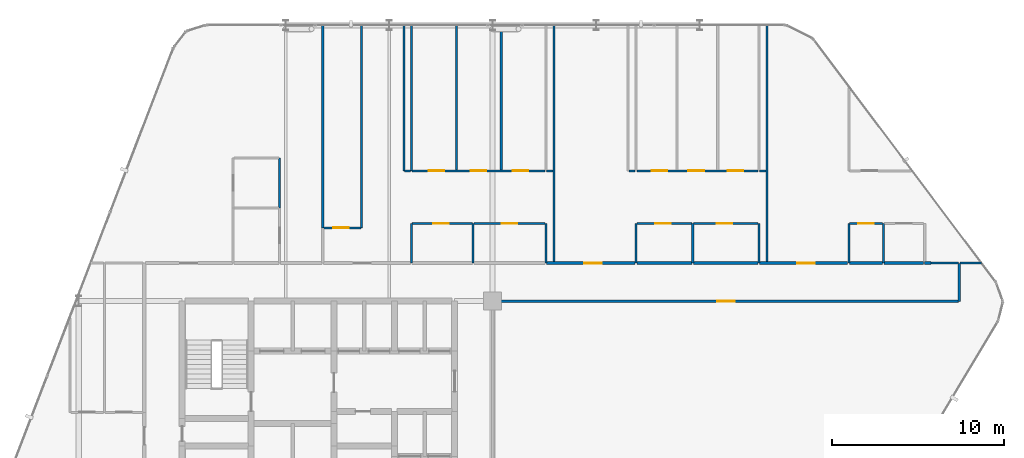
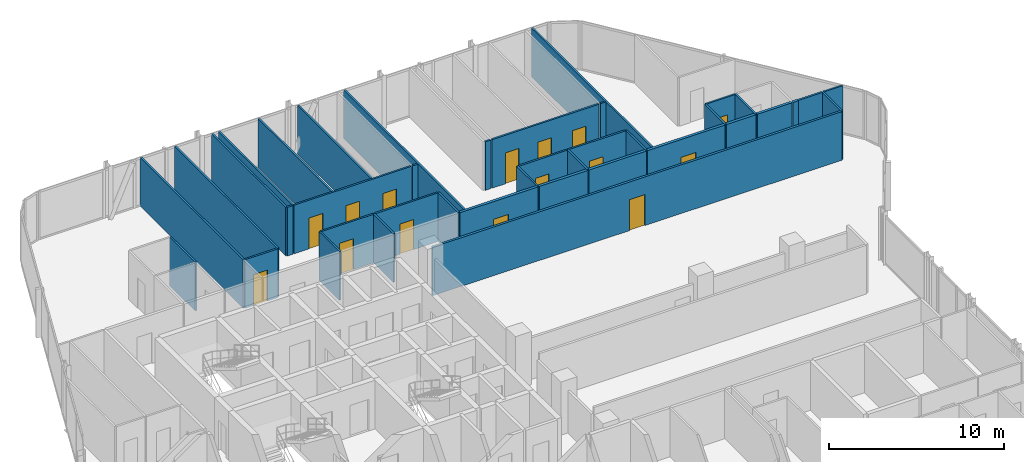
# One storey, part 28 of 30: 40 walls, 15 doors, 15 openings.
"""IFC4 building model written with IfcOpenShell, lengths in metres."""

from ifc_helpers import new_model, si_unit, direction, frame, frame_2d, origin, place, context, subcontext, project, spatial, rectangle, extrude, material, layer, layer_set, type_object, element, fill, save


model = new_model("IFC4")

# Units and contexts
model_context = context("Model", 3, precision=1e-05, world=origin(), true_north=direction((0.0, 1.0)))
body_context = subcontext(model_context, "Body", "Model", "MODEL_VIEW")
ifc_project = project(units=[si_unit("LENGTHUNIT", "METRE"), si_unit("AREAUNIT", "SQUARE_METRE"), si_unit("VOLUMEUNIT", "CUBIC_METRE"), si_unit("PLANEANGLEUNIT", "RADIAN"), si_unit("MASSUNIT", "GRAM", prefix="KILO")], contexts=[model_context])

# Site, building, storey
site_placement = place(None, origin())
site = spatial("IfcSite", under=ifc_project, at=site_placement, CompositionType="ELEMENT")
building_placement = place(site_placement, origin())
building = spatial("IfcBuilding", under=site, at=building_placement, Name="Keshet Zoharim Tower", CompositionType="ELEMENT")
storey_placement = place(building_placement, frame((0.0, 0.0, 109.39990234375)))
storey = spatial("IfcBuildingStorey", under=building, at=storey_placement, Name="L26", CompositionType="ELEMENT", Elevation=109.39990234375)

# Wall, opening, door
ifc_material_1 = material(Name="Gypsum Plasterboard", Category="gypsum")
ifc_layer_1 = layer(ifc_material_1, 0.14990234375)
ifc_layer_set_1 = layer_set([ifc_layer_1], Name="Gypsum Plasterboard")
wall_type_1 = type_object("IfcWallType", Name="WL-CLIN-150", PredefinedType="STANDARD", material=ifc_layer_set_1)
wall_1_placement = place(storey_placement, frame((33.070068359375, 37.89990234375, 0.0), z_axis=(0.0, 0.0, 1.0), x_axis=(1.0, 0.0, 0.0)))
wall_1 = element("IfcWall", 1, at=wall_1_placement, inside=storey, type_object=wall_type_1, Name="L26 Interior Wall 179", PredefinedType="STANDARD", context=body_context, shape_type="SweptSolid", body=[
    extrude(rectangle(XDim=26.934814453125, YDim=0.14990234375, at=frame_2d((13.46728515625, 0.0))), origin(), (0.0, 0.0, 1.0), 3.385009765625),
])
opening_1_placement = place(wall_1_placement, frame((12.9599609375, 0.0, 0.0)))
opening_1 = element("IfcOpeningElement", 2, at=opening_1_placement, cuts=wall_1, Name="Opening D-F310", PredefinedType="OPENING", context=body_context, shape_type="SweptSolid", body=[
    extrude(rectangle(XDim=1.0, YDim=2.14990234375, at=frame_2d((0.5, 1.074951171875))), frame((0.0, 0.0849609375, 0.0), z_axis=(0.0, -1.0, 0.0), x_axis=(1.0, 0.0, 0.0)), (0.0, 0.0, 1.0), 0.169921875),
])
ifc_material_2 = material(Name="Hardwood Timber", Category="wood")
door_type_1 = type_object("IfcDoorType", Name="DR-FD30-100", OperationType="NOTDEFINED", PredefinedType="DOOR", material=ifc_material_2)
door_1_placement = place(opening_1_placement, origin())
door_1 = element("IfcDoor", 3, at=door_1_placement, inside=storey, type_object=door_type_1, Name="L26 North East Residents Services Suite Door 1", OperationType="SINGLE_SWING_RIGHT", OverallHeight=2.14990234375, OverallWidth=1.0, PredefinedType="DOOR", context=body_context, shape_type="SweptSolid", body=[
    extrude(rectangle(XDim=1.0, YDim=2.14990234375, at=frame_2d((0.5, 1.074951171875))), frame((0.0, 0.02490234375, 0.0), z_axis=(0.0, -1.0, 0.0), x_axis=(1.0, 0.0, 0.0)), (0.0, 0.0, 1.0), 0.050048828125),
])
fill(opening_1, door_1)

ifc_layer_2 = layer(ifc_material_1, 0.179931640625)
ifc_layer_set_2 = layer_set([ifc_layer_2], Name="Gypsum Plasterboard")
wall_type_2 = type_object("IfcWallType", Name="WL-CORR-180", PredefinedType="STANDARD", material=ifc_layer_set_2)
wall_2_placement = place(storey_placement, frame((36.125, 40.10009765625, 0.0), z_axis=(0.0, 0.0, 1.0), x_axis=(1.0, 0.0, 0.0)))
wall_2 = element("IfcWall", 4, at=wall_2_placement, inside=storey, type_object=wall_type_2, Name="L26 Interior Wall 188", PredefinedType="STANDARD", context=body_context, shape_type="SweptSolid", body=[
    extrude(rectangle(XDim=5.139892578125, YDim=0.179931640625, at=frame_2d((2.56982421875, 0.0))), origin(), (0.0, 0.0, 1.0), 3.385009765625),
])
opening_2_placement = place(wall_2_placement, frame((2.197998046875, 0.0, 0.0)))
opening_2 = element("IfcOpeningElement", 5, at=opening_2_placement, cuts=wall_2, Name="Opening D-F310", PredefinedType="OPENING", context=body_context, shape_type="SweptSolid", body=[
    extrude(rectangle(XDim=1.0, YDim=2.14990234375, at=frame_2d((0.5, 1.074951171875))), frame((0.0, 0.10009765625, 0.0), z_axis=(0.0, -1.0, 0.0), x_axis=(1.0, 0.0, 0.0)), (0.0, 0.0, 1.0), 0.199951171875),
])
door_2_placement = place(opening_2_placement, origin())
door_2 = element("IfcDoor", 6, at=door_2_placement, inside=storey, type_object=door_type_1, Name="Apartment 2606 Entrance Door", OperationType="SINGLE_SWING_LEFT", OverallHeight=2.14990234375, OverallWidth=1.0, PredefinedType="DOOR", context=body_context, shape_type="SweptSolid", body=[
    extrude(rectangle(XDim=1.0, YDim=2.14990234375, at=frame_2d((0.5, 1.074951171875))), frame((0.0, 0.02490234375, 0.0), z_axis=(0.0, -1.0, 0.0), x_axis=(1.0, 0.0, 0.0)), (0.0, 0.0, 1.0), 0.050048828125),
])
fill(opening_2, door_2)

# Walls
wall_3_placement = place(storey_placement, frame((41.35498046875, 40.10009765625, 0.0), z_axis=(0.0, 0.0, 1.0), x_axis=(1.0, 0.0, 0.0)))
element("IfcWall", 7, at=wall_3_placement, inside=storey, type_object=wall_type_2, Name="L26 Interior Wall 189", PredefinedType="STANDARD", context=body_context, shape_type="SweptSolid", body=[
    extrude(rectangle(XDim=3.18994140625, YDim=0.179931640625, at=frame_2d((1.594970703125, 0.0))), origin(), (0.0, 0.0, 1.0), 3.385009765625),
])
wall_4_placement = place(storey_placement, frame((44.635009765625, 40.10009765625, 0.0), z_axis=(0.0, 0.0, 1.0), x_axis=(1.0, 0.0, 0.0)))
element("IfcWall", 8, at=wall_4_placement, inside=storey, type_object=wall_type_2, Name="L26 Interior Wall 190", PredefinedType="STANDARD", context=body_context, shape_type="SweptSolid", body=[
    extrude(rectangle(XDim=3.760009765625, YDim=0.179931640625, at=frame_2d((1.8798828125, 0.0))), origin(), (0.0, 0.0, 1.0), 3.385009765625),
])

# Wall, opening, door
wall_5_placement = place(storey_placement, frame((48.485107421875, 40.10009765625, 0.0), z_axis=(0.0, 0.0, 1.0), x_axis=(1.0, 0.0, 0.0)))
wall_5 = element("IfcWall", 9, at=wall_5_placement, inside=storey, type_object=wall_type_2, Name="L26 Interior Wall 191", PredefinedType="STANDARD", context=body_context, shape_type="SweptSolid", body=[
    extrude(rectangle(XDim=5.099853515625, YDim=0.179931640625, at=frame_2d((2.5498046875, 0.0))), origin(), (0.0, 0.0, 1.0), 3.385009765625),
])
opening_3_placement = place(wall_5_placement, frame((2.178955078125, 0.0, 0.0)))
opening_3 = element("IfcOpeningElement", 10, at=opening_3_placement, cuts=wall_5, Name="Opening D-F310", PredefinedType="OPENING", context=body_context, shape_type="SweptSolid", body=[
    extrude(rectangle(XDim=1.0, YDim=2.14990234375, at=frame_2d((0.5, 1.074951171875))), frame((0.0, 0.10009765625, 0.0), z_axis=(0.0, -1.0, 0.0), x_axis=(1.0, 0.0, 0.0)), (0.0, 0.0, 1.0), 0.199951171875),
])
door_3_placement = place(opening_3_placement, origin())
door_3 = element("IfcDoor", 11, at=door_3_placement, inside=storey, type_object=door_type_1, Name="Apartment 2607 Entrance Door", OperationType="SINGLE_SWING_RIGHT", OverallHeight=2.14990234375, OverallWidth=1.0, PredefinedType="DOOR", context=body_context, shape_type="SweptSolid", body=[
    extrude(rectangle(XDim=1.0, YDim=2.14990234375, at=frame_2d((0.5, 1.074951171875))), frame((0.0, 0.02490234375, 0.0), z_axis=(0.0, -1.0, 0.0), x_axis=(1.0, 0.0, 0.0)), (0.0, 0.0, 1.0), 0.050048828125),
])
fill(opening_3, door_3)

# Walls
wall_6_placement = place(storey_placement, frame((53.675048828125, 40.10009765625, 0.0), z_axis=(0.0, 0.0, 1.0), x_axis=(1.0, 0.0, 0.0)))
element("IfcWall", 12, at=wall_6_placement, inside=storey, type_object=wall_type_2, Name="L26 Interior Wall 192", PredefinedType="STANDARD", context=body_context, shape_type="SweptSolid", body=[
    extrude(rectangle(XDim=1.93798828125, YDim=0.179931640625, at=frame_2d((0.968994140625, 0.0))), origin(), (0.0, 0.0, 1.0), 3.385009765625),
])
wall_7_placement = place(storey_placement, frame((55.702880859375, 40.10009765625, 0.0), z_axis=(0.0, 0.0, 1.0), x_axis=(1.0, 0.0, 0.0)))
element("IfcWall", 13, at=wall_7_placement, inside=storey, type_object=wall_type_2, Name="L26 Interior Wall 193", PredefinedType="STANDARD", context=body_context, shape_type="SweptSolid", body=[
    extrude(rectangle(XDim=2.2900390625, YDim=0.179931640625, at=frame_2d((1.14501953125, 0.0))), origin(), (0.0, 0.0, 1.0), 3.385009765625),
])
wall_8_placement = place(storey_placement, frame((58.050048828125, 40.10009765625, 0.0), z_axis=(0.0, 0.0, 1.0), x_axis=(1.0, 0.0, 0.0)))
element("IfcWall", 14, at=wall_8_placement, inside=storey, type_object=wall_type_2, Name="L26 Interior Wall 194", PredefinedType="STANDARD", context=body_context, shape_type="SweptSolid", body=[
    extrude(rectangle(XDim=0.349853515625, YDim=0.179931640625, at=frame_2d((0.1748046875, 0.0))), origin(), (0.0, 0.0, 1.0), 3.385009765625),
])
ifc_layer_3 = layer(ifc_material_1, 0.1201171875)
ifc_layer_set_3 = layer_set([ifc_layer_3], Name="Gypsum Plasterboard")
wall_type_3 = type_object("IfcWallType", Name="WL-PART-120", PredefinedType="PARTITIONING", material=ifc_layer_set_3)
for number, where, z_axis, x_axis, name in (
    (15, (23.14990234375, 42.14990234375, 0.0), (0.0, 0.0, 1.0), (0.0, 1.0, 0.0), "L26 Interior Wall 034"),
    (16, (25.39990234375, 42.14990234375, 0.0), (0.0, 0.0, 1.0), (0.0, 1.0, 0.0), "L26 Interior Wall 042"),
):
    element("IfcWall", number, at=place(storey_placement, frame(where, z_axis=z_axis, x_axis=x_axis)), inside=storey, type_object=wall_type_3, Name=name, PredefinedType="PARTITIONING", context=body_context, shape_type="SweptSolid", body=[
        extrude(rectangle(XDim=11.739990234375, YDim=0.1201171875, at=frame_2d((5.8701171875, 0.0))), origin(), (0.0, 0.0, 1.0), 3.385009765625),
    ])
wall_9_placement = place(storey_placement, frame((27.85009765625, 45.449951171875, 0.0), z_axis=(0.0, 0.0, 1.0), x_axis=(0.0, 1.0, 0.0)))
element("IfcWall", 17, at=wall_9_placement, inside=storey, type_object=wall_type_3, Name="L26 Interior Wall 052", PredefinedType="PARTITIONING", context=body_context, shape_type="SweptSolid", body=[
    extrude(rectangle(XDim=8.43994140625, YDim=0.1201171875, at=frame_2d((4.219970703125, 0.0))), origin(), (0.0, 0.0, 1.0), 3.385009765625),
])
wall_10_placement = place(storey_placement, frame((28.300048828125, 40.10009765625, 0.0), z_axis=(0.0, 0.0, 1.0), x_axis=(0.0, 1.0, 0.0)))
element("IfcWall", 18, at=wall_10_placement, inside=storey, type_object=wall_type_3, Name="L26 Interior Wall 053", PredefinedType="PARTITIONING", context=body_context, shape_type="SweptSolid", body=[
    extrude(rectangle(XDim=2.2998046875, YDim=0.1201171875, at=frame_2d((1.14990234375, 0.0))), origin(), (0.0, 0.0, 1.0), 3.385009765625),
])
for number, where, z_axis, x_axis, name in (
    (19, (28.300048828125, 45.449951171875, 0.0), (0.0, 0.0, 1.0), (0.0, 1.0, 0.0), "L26 Interior Wall 054"),
    (20, (30.89990234375, 45.449951171875, 0.0), (0.0, 0.0, 1.0), (0.0, 1.0, 0.0), "L26 Interior Wall 066"),
    (21, (33.5, 45.449951171875, 0.0), (0.0, 0.0, 1.0), (0.0, 1.0, 0.0), "L26 Interior Wall 073"),
):
    element("IfcWall", number, at=place(storey_placement, frame(where, z_axis=z_axis, x_axis=x_axis)), inside=storey, type_object=wall_type_3, Name=name, PredefinedType="PARTITIONING", context=body_context, shape_type="SweptSolid", body=[
        extrude(rectangle(XDim=8.43994140625, YDim=0.1201171875, at=frame_2d((4.219970703125, 0.0))), origin(), (0.0, 0.0, 1.0), 3.385009765625),
    ])
wall_11_placement = place(storey_placement, frame((36.550048828125, 40.10009765625, 0.0), z_axis=(0.0, 0.0, 1.0), x_axis=(0.0, 1.0, 0.0)))
element("IfcWall", 22, at=wall_11_placement, inside=storey, type_object=wall_type_3, Name="L26 Interior Wall 078", PredefinedType="PARTITIONING", context=body_context, shape_type="SweptSolid", body=[
    extrude(rectangle(XDim=13.789794921875, YDim=0.1201171875, at=frame_2d((6.89501953125, 0.0))), origin(), (0.0, 0.0, 1.0), 3.385009765625),
])
wall_12_placement = place(storey_placement, frame((41.300048828125, 40.10009765625, 0.0), z_axis=(0.0, 0.0, 1.0), x_axis=(0.0, 1.0, 0.0)))
element("IfcWall", 23, at=wall_12_placement, inside=storey, type_object=wall_type_3, Name="L26 Interior Wall 087", PredefinedType="PARTITIONING", context=body_context, shape_type="SweptSolid", body=[
    extrude(rectangle(XDim=2.2998046875, YDim=0.1201171875, at=frame_2d((1.14990234375, 0.0))), origin(), (0.0, 0.0, 1.0), 3.385009765625),
])
wall_13_placement = place(storey_placement, frame((48.89990234375, 40.10009765625, 0.0), z_axis=(0.0, 0.0, 1.0), x_axis=(0.0, 1.0, 0.0)))
element("IfcWall", 24, at=wall_13_placement, inside=storey, type_object=wall_type_3, Name="L26 Interior Wall 099", PredefinedType="PARTITIONING", context=body_context, shape_type="SweptSolid", body=[
    extrude(rectangle(XDim=13.789794921875, YDim=0.1201171875, at=frame_2d((6.89501953125, 0.0))), origin(), (0.0, 0.0, 1.0), 3.385009765625),
])
wall_14_placement = place(storey_placement, frame((53.64990234375, 40.10009765625, 0.0), z_axis=(0.0, 0.0, 1.0), x_axis=(0.0, 1.0, 0.0)))
element("IfcWall", 25, at=wall_14_placement, inside=storey, type_object=wall_type_3, Name="L26 Interior Wall 103", PredefinedType="PARTITIONING", context=body_context, shape_type="SweptSolid", body=[
    extrude(rectangle(XDim=2.2998046875, YDim=0.1201171875, at=frame_2d((1.14990234375, 0.0))), origin(), (0.0, 0.0, 1.0), 3.385009765625),
])
wall_15_placement = place(storey_placement, frame((60.050048828125, 37.889892578125, 0.0), z_axis=(0.0, 0.0, 1.0), x_axis=(0.0, 1.0, 0.0)))
element("IfcWall", 26, at=wall_15_placement, inside=storey, type_object=wall_type_3, Name="L26 Interior Wall 111", PredefinedType="PARTITIONING", context=body_context, shape_type="SweptSolid", body=[
    extrude(rectangle(XDim=2.2001953125, YDim=0.1201171875, at=frame_2d((1.10009765625, 0.0))), origin(), (0.0, 0.0, 1.0), 3.385009765625),
])
wall_16_placement = place(storey_placement, frame((58.39990234375, 40.10009765625, 0.0), z_axis=(0.0, 0.0, 1.0), x_axis=(1.0, 0.0, 0.0)))
element("IfcWall", 27, at=wall_16_placement, inside=storey, type_object=wall_type_3, Name="L26 Interior Wall 195", PredefinedType="PARTITIONING", context=body_context, shape_type="SweptSolid", body=[
    extrude(rectangle(XDim=1.60498046875, YDim=0.1201171875, at=frame_2d((0.802490234375, 0.0))), origin(), (0.0, 0.0, 1.0), 3.385009765625),
])
wall_17_placement = place(storey_placement, frame((60.094970703125, 40.10009765625, 0.0), z_axis=(0.0, 0.0, 1.0), x_axis=(1.0, 0.0, 0.0)))
element("IfcWall", 28, at=wall_17_placement, inside=storey, type_object=wall_type_3, Name="L26 Interior Wall 196", PredefinedType="PARTITIONING", context=body_context, shape_type="SweptSolid", body=[
    extrude(rectangle(XDim=1.2451171875, YDim=0.1201171875, at=frame_2d((0.62255859375, 0.0))), origin(), (0.0, 0.0, 1.0), 3.385009765625),
])

# Wall, opening, door
wall_18_placement = place(storey_placement, frame((23.195068359375, 42.14990234375, 0.0), z_axis=(0.0, 0.0, 1.0), x_axis=(1.0, 0.0, 0.0)))
wall_18 = element("IfcWall", 29, at=wall_18_placement, inside=storey, type_object=wall_type_3, Name="L26 Interior Wall 197", PredefinedType="PARTITIONING", context=body_context, shape_type="SweptSolid", body=[
    extrude(rectangle(XDim=2.159912109375, YDim=0.1201171875, at=frame_2d((1.080078125, 0.0))), origin(), (0.0, 0.0, 1.0), 3.385009765625),
])
opening_4_placement = place(wall_18_placement, frame((0.552978515625, 0.0, 0.0)))
opening_4 = element("IfcOpeningElement", 30, at=opening_4_placement, cuts=wall_18, Name="Opening D-IN90", PredefinedType="OPENING", context=body_context, shape_type="SweptSolid", body=[
    extrude(rectangle(XDim=0.89990234375, YDim=2.14990234375, at=frame_2d((0.449951171875, 1.074951171875))), frame((0.0, 0.070068359375, 0.0), z_axis=(0.0, -1.0, 0.0), x_axis=(1.0, 0.0, 0.0)), (0.0, 0.0, 1.0), 0.14013671875),
])
door_type_2 = type_object("IfcDoorType", Name="DR-INT-090", OperationType="NOTDEFINED", PredefinedType="DOOR", material=ifc_material_2)
door_4_placement = place(opening_4_placement, origin())
door_4 = element("IfcDoor", 31, at=door_4_placement, inside=storey, type_object=door_type_2, Name="Apartment 2605 Formal Dining Room Door", OperationType="SINGLE_SWING_LEFT", OverallHeight=2.14990234375, OverallWidth=0.89990234375, PredefinedType="DOOR", context=body_context, shape_type="SweptSolid", body=[
    extrude(rectangle(XDim=0.89990234375, YDim=2.14990234375, at=frame_2d((0.449951171875, 1.074951171875))), frame((0.0, 0.02490234375, 0.0), z_axis=(0.0, -1.0, 0.0), x_axis=(1.0, 0.0, 0.0)), (0.0, 0.0, 1.0), 0.050048828125),
])
fill(opening_4, door_4)

wall_19_placement = place(storey_placement, frame((28.324951171875, 42.39990234375, 0.0), z_axis=(0.0, 0.0, 1.0), x_axis=(1.0, 0.0, 0.0)))
wall_19 = element("IfcWall", 32, at=wall_19_placement, inside=storey, type_object=wall_type_3, Name="L26 Interior Wall 198", PredefinedType="PARTITIONING", context=body_context, shape_type="SweptSolid", body=[
    extrude(rectangle(XDim=3.498046875, YDim=0.1201171875, at=frame_2d((1.7490234375, 0.0))), origin(), (0.0, 0.0, 1.0), 3.385009765625),
])
opening_5_placement = place(wall_19_placement, frame((1.22607421875, 0.0, 0.0)))
opening_5 = element("IfcOpeningElement", 33, at=opening_5_placement, cuts=wall_19, Name="Opening D-IN90", PredefinedType="OPENING", context=body_context, shape_type="SweptSolid", body=[
    extrude(rectangle(XDim=0.89990234375, YDim=2.14990234375, at=frame_2d((0.449951171875, 1.074951171875))), frame((0.0, 0.070068359375, 0.0), z_axis=(0.0, -1.0, 0.0), x_axis=(1.0, 0.0, 0.0)), (0.0, 0.0, 1.0), 0.14013671875),
])
door_5_placement = place(opening_5_placement, origin())
door_5 = element("IfcDoor", 34, at=door_5_placement, inside=storey, type_object=door_type_2, Name="Apartment 2605 Kitchen Door", OperationType="SINGLE_SWING_RIGHT", OverallHeight=2.14990234375, OverallWidth=0.89990234375, PredefinedType="DOOR", context=body_context, shape_type="SweptSolid", body=[
    extrude(rectangle(XDim=0.89990234375, YDim=2.14990234375, at=frame_2d((0.449951171875, 1.074951171875))), frame((0.0, 0.02490234375, 0.0), z_axis=(0.0, -1.0, 0.0), x_axis=(1.0, 0.0, 0.0)), (0.0, 0.0, 1.0), 0.050048828125),
])
fill(opening_5, door_5)

wall_20_placement = place(storey_placement, frame((41.35498046875, 42.39990234375, 0.0), z_axis=(0.0, 0.0, 1.0), x_axis=(1.0, 0.0, 0.0)))
wall_20 = element("IfcWall", 35, at=wall_20_placement, inside=storey, type_object=wall_type_3, Name="L26 Interior Wall 200", PredefinedType="PARTITIONING", context=body_context, shape_type="SweptSolid", body=[
    extrude(rectangle(XDim=3.18994140625, YDim=0.1201171875, at=frame_2d((1.594970703125, 0.0))), origin(), (0.0, 0.0, 1.0), 3.385009765625),
])
opening_6_placement = place(wall_20_placement, frame((1.072998046875, 0.0, 0.0)))
opening_6 = element("IfcOpeningElement", 36, at=opening_6_placement, cuts=wall_20, Name="Opening D-IN90", PredefinedType="OPENING", context=body_context, shape_type="SweptSolid", body=[
    extrude(rectangle(XDim=0.89990234375, YDim=2.14990234375, at=frame_2d((0.449951171875, 1.074951171875))), frame((0.0, 0.070068359375, 0.0), z_axis=(0.0, -1.0, 0.0), x_axis=(1.0, 0.0, 0.0)), (0.0, 0.0, 1.0), 0.14013671875),
])
door_6_placement = place(opening_6_placement, origin())
door_6 = element("IfcDoor", 37, at=door_6_placement, inside=storey, type_object=door_type_2, Name="Apartment 2606 Kitchen Door", OperationType="SINGLE_SWING_RIGHT", OverallHeight=2.14990234375, OverallWidth=0.89990234375, PredefinedType="DOOR", context=body_context, shape_type="SweptSolid", body=[
    extrude(rectangle(XDim=0.89990234375, YDim=2.14990234375, at=frame_2d((0.449951171875, 1.074951171875))), frame((0.0, 0.02490234375, 0.0), z_axis=(0.0, -1.0, 0.0), x_axis=(1.0, 0.0, 0.0)), (0.0, 0.0, 1.0), 0.050048828125),
])
fill(opening_6, door_6)

wall_21_placement = place(storey_placement, frame((53.675048828125, 42.39990234375, 0.0), z_axis=(0.0, 0.0, 1.0), x_axis=(1.0, 0.0, 0.0)))
wall_21 = element("IfcWall", 38, at=wall_21_placement, inside=storey, type_object=wall_type_3, Name="L26 Interior Wall 202", PredefinedType="PARTITIONING", context=body_context, shape_type="SweptSolid", body=[
    extrude(rectangle(XDim=1.93798828125, YDim=0.1201171875, at=frame_2d((0.968994140625, 0.0))), origin(), (0.0, 0.0, 1.0), 3.385009765625),
])
opening_7_placement = place(wall_21_placement, frame((0.51904296875, 0.0, 0.0)))
opening_7 = element("IfcOpeningElement", 39, at=opening_7_placement, cuts=wall_21, Name="Opening D-IN90", PredefinedType="OPENING", context=body_context, shape_type="SweptSolid", body=[
    extrude(rectangle(XDim=0.89990234375, YDim=2.14990234375, at=frame_2d((0.449951171875, 1.074951171875))), frame((0.0, 0.070068359375, 0.0), z_axis=(0.0, -1.0, 0.0), x_axis=(1.0, 0.0, 0.0)), (0.0, 0.0, 1.0), 0.14013671875),
])
door_7_placement = place(opening_7_placement, origin())
door_7 = element("IfcDoor", 40, at=door_7_placement, inside=storey, type_object=door_type_2, Name="Apartment 2607 Kitchen Door", OperationType="SINGLE_SWING_RIGHT", OverallHeight=2.14990234375, OverallWidth=0.89990234375, PredefinedType="DOOR", context=body_context, shape_type="SweptSolid", body=[
    extrude(rectangle(XDim=0.89990234375, YDim=2.14990234375, at=frame_2d((0.449951171875, 1.074951171875))), frame((0.0, 0.02490234375, 0.0), z_axis=(0.0, -1.0, 0.0), x_axis=(1.0, 0.0, 0.0)), (0.0, 0.0, 1.0), 0.050048828125),
])
fill(opening_7, door_7)

# Wall
wall_22_placement = place(storey_placement, frame((27.875, 45.449951171875, 0.0), z_axis=(0.0, 0.0, 1.0), x_axis=(1.0, 0.0, 0.0)))
element("IfcWall", 41, at=wall_22_placement, inside=storey, type_object=wall_type_3, Name="L26 Interior Wall 205", PredefinedType="PARTITIONING", context=body_context, shape_type="SweptSolid", body=[
    extrude(rectangle(XDim=0.360107421875, YDim=0.1201171875, at=frame_2d((0.18017578125, 0.0))), origin(), (0.0, 0.0, 1.0), 3.385009765625),
])

# Wall, openings, doors
wall_23_placement = place(storey_placement, frame((28.324951171875, 45.449951171875, 0.0), z_axis=(0.0, 0.0, 1.0), x_axis=(1.0, 0.0, 0.0)))
wall_23 = element("IfcWall", 42, at=wall_23_placement, inside=storey, type_object=wall_type_3, Name="L26 Interior Wall 206", PredefinedType="PARTITIONING", context=body_context, shape_type="SweptSolid", body=[
    extrude(rectangle(XDim=7.7099609375, YDim=0.1201171875, at=frame_2d((3.85498046875, 0.0))), origin(), (0.0, 0.0, 1.0), 3.385009765625),
])
opening_8_placement = place(wall_23_placement, frame((0.97998046875, 0.0, 0.0)))
opening_8 = element("IfcOpeningElement", 43, at=opening_8_placement, cuts=wall_23, Name="Opening D-IN90", PredefinedType="OPENING", context=body_context, shape_type="SweptSolid", body=[
    extrude(rectangle(XDim=0.89990234375, YDim=2.14990234375, at=frame_2d((0.449951171875, 1.074951171875))), frame((0.0, 0.070068359375, 0.0), z_axis=(0.0, -1.0, 0.0), x_axis=(1.0, 0.0, 0.0)), (0.0, 0.0, 1.0), 0.14013671875),
])
opening_9_placement = place(wall_23_placement, frame((3.405029296875, 0.0, 0.0)))
opening_9 = element("IfcOpeningElement", 44, at=opening_9_placement, cuts=wall_23, Name="Opening D-IN90", PredefinedType="OPENING", context=body_context, shape_type="SweptSolid", body=[
    extrude(rectangle(XDim=0.89990234375, YDim=2.14990234375, at=frame_2d((0.449951171875, 1.074951171875))), frame((0.0, 0.070068359375, 0.0), z_axis=(0.0, -1.0, 0.0), x_axis=(1.0, 0.0, 0.0)), (0.0, 0.0, 1.0), 0.14013671875),
])
opening_10_placement = place(wall_23_placement, frame((5.830078125, 0.0, 0.0)))
opening_10 = element("IfcOpeningElement", 45, at=opening_10_placement, cuts=wall_23, Name="Opening D-IN90", PredefinedType="OPENING", context=body_context, shape_type="SweptSolid", body=[
    extrude(rectangle(XDim=0.89990234375, YDim=2.14990234375, at=frame_2d((0.449951171875, 1.074951171875))), frame((0.0, 0.070068359375, 0.0), z_axis=(0.0, -1.0, 0.0), x_axis=(1.0, 0.0, 0.0)), (0.0, 0.0, 1.0), 0.14013671875),
])
door_8_placement = place(opening_8_placement, origin())
door_8 = element("IfcDoor", 46, at=door_8_placement, inside=storey, type_object=door_type_2, Name="Apartment 2605 Bedroom 1 Door", OperationType="SINGLE_SWING_RIGHT", OverallHeight=2.14990234375, OverallWidth=0.89990234375, PredefinedType="DOOR", context=body_context, shape_type="SweptSolid", body=[
    extrude(rectangle(XDim=0.89990234375, YDim=2.14990234375, at=frame_2d((0.449951171875, 1.074951171875))), frame((0.0, 0.02490234375, 0.0), z_axis=(0.0, -1.0, 0.0), x_axis=(1.0, 0.0, 0.0)), (0.0, 0.0, 1.0), 0.050048828125),
])
fill(opening_8, door_8)
door_9_placement = place(opening_9_placement, origin())
door_9 = element("IfcDoor", 47, at=door_9_placement, inside=storey, type_object=door_type_2, Name="Apartment 2605 Bedroom 2 Door", OperationType="SINGLE_SWING_LEFT", OverallHeight=2.14990234375, OverallWidth=0.89990234375, PredefinedType="DOOR", context=body_context, shape_type="SweptSolid", body=[
    extrude(rectangle(XDim=0.89990234375, YDim=2.14990234375, at=frame_2d((0.449951171875, 1.074951171875))), frame((0.0, 0.02490234375, 0.0), z_axis=(0.0, -1.0, 0.0), x_axis=(1.0, 0.0, 0.0)), (0.0, 0.0, 1.0), 0.050048828125),
])
fill(opening_9, door_9)
door_10_placement = place(opening_10_placement, origin())
door_10 = element("IfcDoor", 48, at=door_10_placement, inside=storey, type_object=door_type_2, Name="Apartment 2605 Bedroom 3 Door", OperationType="SINGLE_SWING_RIGHT", OverallHeight=2.14990234375, OverallWidth=0.89990234375, PredefinedType="DOOR", context=body_context, shape_type="SweptSolid", body=[
    extrude(rectangle(XDim=0.89990234375, YDim=2.14990234375, at=frame_2d((0.449951171875, 1.074951171875))), frame((0.0, 0.02490234375, 0.0), z_axis=(0.0, -1.0, 0.0), x_axis=(1.0, 0.0, 0.0)), (0.0, 0.0, 1.0), 0.050048828125),
])
fill(opening_10, door_10)

# Walls
wall_24_placement = place(storey_placement, frame((36.125, 45.449951171875, 0.0), z_axis=(0.0, 0.0, 1.0), x_axis=(1.0, 0.0, 0.0)))
element("IfcWall", 49, at=wall_24_placement, inside=storey, type_object=wall_type_3, Name="L26 Interior Wall 207", PredefinedType="PARTITIONING", context=body_context, shape_type="SweptSolid", body=[
    extrude(rectangle(XDim=0.360107421875, YDim=0.1201171875, at=frame_2d((0.18017578125, 0.0))), origin(), (0.0, 0.0, 1.0), 3.385009765625),
])
wall_25_placement = place(storey_placement, frame((40.905029296875, 45.449951171875, 0.0), z_axis=(0.0, 0.0, 1.0), x_axis=(1.0, 0.0, 0.0)))
element("IfcWall", 50, at=wall_25_placement, inside=storey, type_object=wall_type_3, Name="L26 Interior Wall 208", PredefinedType="PARTITIONING", context=body_context, shape_type="SweptSolid", body=[
    extrude(rectangle(XDim=0.35986328125, YDim=0.1201171875, at=frame_2d((0.179931640625, 0.0))), origin(), (0.0, 0.0, 1.0), 3.385009765625),
])

# Wall, openings, doors
wall_26_placement = place(storey_placement, frame((41.35498046875, 45.449951171875, 0.0), z_axis=(0.0, 0.0, 1.0), x_axis=(1.0, 0.0, 0.0)))
wall_26 = element("IfcWall", 51, at=wall_26_placement, inside=storey, type_object=wall_type_3, Name="L26 Interior Wall 209", PredefinedType="PARTITIONING", context=body_context, shape_type="SweptSolid", body=[
    extrude(rectangle(XDim=7.0400390625, YDim=0.1201171875, at=frame_2d((3.52001953125, 0.0))), origin(), (0.0, 0.0, 1.0), 3.385009765625),
])
opening_11_placement = place(wall_26_placement, frame((0.867919921875, 0.0, 0.0)))
opening_11 = element("IfcOpeningElement", 52, at=opening_11_placement, cuts=wall_26, Name="Opening D-IN90", PredefinedType="OPENING", context=body_context, shape_type="SweptSolid", body=[
    extrude(rectangle(XDim=0.89990234375, YDim=2.14990234375, at=frame_2d((0.449951171875, 1.074951171875))), frame((0.0, 0.070068359375, 0.0), z_axis=(0.0, -1.0, 0.0), x_axis=(1.0, 0.0, 0.0)), (0.0, 0.0, 1.0), 0.14013671875),
])
opening_12_placement = place(wall_26_placement, frame((2.9990234375, 0.0, 0.0)))
opening_12 = element("IfcOpeningElement", 53, at=opening_12_placement, cuts=wall_26, Name="Opening D-IN90", PredefinedType="OPENING", context=body_context, shape_type="SweptSolid", body=[
    extrude(rectangle(XDim=0.89990234375, YDim=2.14990234375, at=frame_2d((0.449951171875, 1.074951171875))), frame((0.0, 0.070068359375, 0.0), z_axis=(0.0, -1.0, 0.0), x_axis=(1.0, 0.0, 0.0)), (0.0, 0.0, 1.0), 0.14013671875),
])
opening_13_placement = place(wall_26_placement, frame((5.27197265625, 0.0, 0.0)))
opening_13 = element("IfcOpeningElement", 54, at=opening_13_placement, cuts=wall_26, Name="Opening D-IN90", PredefinedType="OPENING", context=body_context, shape_type="SweptSolid", body=[
    extrude(rectangle(XDim=0.89990234375, YDim=2.14990234375, at=frame_2d((0.449951171875, 1.074951171875))), frame((0.0, 0.070068359375, 0.0), z_axis=(0.0, -1.0, 0.0), x_axis=(1.0, 0.0, 0.0)), (0.0, 0.0, 1.0), 0.14013671875),
])
door_11_placement = place(opening_11_placement, origin())
door_11 = element("IfcDoor", 55, at=door_11_placement, inside=storey, type_object=door_type_2, Name="Apartment 2606 Bedroom 1 Door", OperationType="SINGLE_SWING_LEFT", OverallHeight=2.14990234375, OverallWidth=0.89990234375, PredefinedType="DOOR", context=body_context, shape_type="SweptSolid", body=[
    extrude(rectangle(XDim=0.89990234375, YDim=2.14990234375, at=frame_2d((0.449951171875, 1.074951171875))), frame((0.0, 0.02490234375, 0.0), z_axis=(0.0, -1.0, 0.0), x_axis=(1.0, 0.0, 0.0)), (0.0, 0.0, 1.0), 0.050048828125),
])
fill(opening_11, door_11)
door_12_placement = place(opening_12_placement, origin())
door_12 = element("IfcDoor", 56, at=door_12_placement, inside=storey, type_object=door_type_2, Name="Apartment 2606 Bedroom 2 Door", OperationType="SINGLE_SWING_RIGHT", OverallHeight=2.14990234375, OverallWidth=0.89990234375, PredefinedType="DOOR", context=body_context, shape_type="SweptSolid", body=[
    extrude(rectangle(XDim=0.89990234375, YDim=2.14990234375, at=frame_2d((0.449951171875, 1.074951171875))), frame((0.0, 0.02490234375, 0.0), z_axis=(0.0, -1.0, 0.0), x_axis=(1.0, 0.0, 0.0)), (0.0, 0.0, 1.0), 0.050048828125),
])
fill(opening_12, door_12)
door_13_placement = place(opening_13_placement, origin())
door_13 = element("IfcDoor", 57, at=door_13_placement, inside=storey, type_object=door_type_2, Name="Apartment 2606 Bedroom 3 Door", OperationType="SINGLE_SWING_LEFT", OverallHeight=2.14990234375, OverallWidth=0.89990234375, PredefinedType="DOOR", context=body_context, shape_type="SweptSolid", body=[
    extrude(rectangle(XDim=0.89990234375, YDim=2.14990234375, at=frame_2d((0.449951171875, 1.074951171875))), frame((0.0, 0.02490234375, 0.0), z_axis=(0.0, -1.0, 0.0), x_axis=(1.0, 0.0, 0.0)), (0.0, 0.0, 1.0), 0.050048828125),
])
fill(opening_13, door_13)

# Walls
wall_27_placement = place(storey_placement, frame((48.485107421875, 45.449951171875, 0.0), z_axis=(0.0, 0.0, 1.0), x_axis=(1.0, 0.0, 0.0)))
element("IfcWall", 58, at=wall_27_placement, inside=storey, type_object=wall_type_3, Name="L26 Interior Wall 210", PredefinedType="PARTITIONING", context=body_context, shape_type="SweptSolid", body=[
    extrude(rectangle(XDim=0.35986328125, YDim=0.1201171875, at=frame_2d((0.179931640625, 0.0))), origin(), (0.0, 0.0, 1.0), 3.385009765625),
])
ifc_layer_4 = layer(ifc_material_1, 0.1201171875)
ifc_layer_set_4 = layer_set([ifc_layer_4], Name="Gypsum Plasterboard")
wall_type_4 = type_object("IfcWallType", Name="WL-WET-120", PredefinedType="PARTITIONING", material=ifc_layer_set_4)
wall_28_placement = place(storey_placement, frame((20.64990234375, 43.300048828125, 0.0), z_axis=(0.0, 0.0, 1.0), x_axis=(0.0, 1.0, 0.0)))
element("IfcWall", 59, at=wall_28_placement, inside=storey, type_object=wall_type_4, Name="L26 Interior Wall 029", PredefinedType="PARTITIONING", context=body_context, shape_type="SweptSolid", body=[
    extrude(rectangle(XDim=2.89990234375, YDim=0.1201171875, at=frame_2d((1.449951171875, 0.0))), origin(), (0.0, 0.0, 1.0), 3.385009765625),
])
for number, where, z_axis, x_axis, name in (
    (60, (31.85009765625, 40.10009765625, 0.0), (0.0, 0.0, 1.0), (0.0, 1.0, 0.0), "L26 Interior Wall 070"),
    (61, (36.10009765625, 40.10009765625, 0.0), (0.0, 0.0, 1.0), (0.0, 1.0, 0.0), "L26 Interior Wall 076"),
    (62, (44.60009765625, 40.10009765625, 0.0), (0.0, 0.0, 1.0), (0.0, 1.0, 0.0), "L26 Interior Wall 091"),
    (63, (48.449951171875, 40.10009765625, 0.0), (0.0, 0.0, 1.0), (0.0, 1.0, 0.0), "L26 Interior Wall 096"),
    (64, (55.64990234375, 40.10009765625, 0.0), (0.0, 0.0, 1.0), (0.0, 1.0, 0.0), "L26 Interior Wall 108"),
):
    element("IfcWall", number, at=place(storey_placement, frame(where, z_axis=z_axis, x_axis=x_axis)), inside=storey, type_object=wall_type_4, Name=name, PredefinedType="PARTITIONING", context=body_context, shape_type="SweptSolid", body=[
        extrude(rectangle(XDim=2.2998046875, YDim=0.1201171875, at=frame_2d((1.14990234375, 0.0))), origin(), (0.0, 0.0, 1.0), 3.385009765625),
    ])

# Wall, opening, door
wall_29_placement = place(storey_placement, frame((31.9130859375, 42.39990234375, 0.0), z_axis=(0.0, 0.0, 1.0), x_axis=(1.0, 0.0, 0.0)))
wall_29 = element("IfcWall", 65, at=wall_29_placement, inside=storey, type_object=wall_type_4, Name="L26 Interior Wall 199", PredefinedType="PARTITIONING", context=body_context, shape_type="SweptSolid", body=[
    extrude(rectangle(XDim=4.121826171875, YDim=0.1201171875, at=frame_2d((2.06103515625, 0.0))), origin(), (0.0, 0.0, 1.0), 3.385009765625),
])
opening_14_placement = place(wall_29_placement, frame((1.611083984375, 0.0, 0.0)))
opening_14 = element("IfcOpeningElement", 66, at=opening_14_placement, cuts=wall_29, Name="Opening D-WT90", PredefinedType="OPENING", context=body_context, shape_type="SweptSolid", body=[
    extrude(rectangle(XDim=0.89990234375, YDim=2.10009765625, at=frame_2d((0.449951171875, 1.050048828125))), frame((0.0, 0.070068359375, 0.0), z_axis=(0.0, -1.0, 0.0), x_axis=(1.0, 0.0, 0.0)), (0.0, 0.0, 1.0), 0.14013671875),
])
door_type_3 = type_object("IfcDoorType", Name="DR-WET-090", OperationType="NOTDEFINED", PredefinedType="DOOR", material=ifc_material_2)
door_14_placement = place(opening_14_placement, origin())
door_14 = element("IfcDoor", 67, at=door_14_placement, inside=storey, type_object=door_type_3, Name="Apartment 2605 Bathroom Door", OperationType="SINGLE_SWING_LEFT", OverallHeight=2.10009765625, OverallWidth=0.89990234375, PredefinedType="DOOR", context=body_context, shape_type="SweptSolid", body=[
    extrude(rectangle(XDim=0.89990234375, YDim=2.10009765625, at=frame_2d((0.449951171875, 1.050048828125))), frame((0.0, 0.02490234375, 0.0), z_axis=(0.0, -1.0, 0.0), x_axis=(1.0, 0.0, 0.0)), (0.0, 0.0, 1.0), 0.050048828125),
])
fill(opening_14, door_14)

wall_30_placement = place(storey_placement, frame((44.635009765625, 42.39990234375, 0.0), z_axis=(0.0, 0.0, 1.0), x_axis=(1.0, 0.0, 0.0)))
wall_30 = element("IfcWall", 68, at=wall_30_placement, inside=storey, type_object=wall_type_4, Name="L26 Interior Wall 201", PredefinedType="PARTITIONING", context=body_context, shape_type="SweptSolid", body=[
    extrude(rectangle(XDim=3.760009765625, YDim=0.1201171875, at=frame_2d((1.8798828125, 0.0))), origin(), (0.0, 0.0, 1.0), 3.385009765625),
])
opening_15_placement = place(wall_30_placement, frame((1.35791015625, 0.0, 0.0)))
opening_15 = element("IfcOpeningElement", 69, at=opening_15_placement, cuts=wall_30, Name="Opening D-WT90", PredefinedType="OPENING", context=body_context, shape_type="SweptSolid", body=[
    extrude(rectangle(XDim=0.89990234375, YDim=2.10009765625, at=frame_2d((0.449951171875, 1.050048828125))), frame((0.0, 0.070068359375, 0.0), z_axis=(0.0, -1.0, 0.0), x_axis=(1.0, 0.0, 0.0)), (0.0, 0.0, 1.0), 0.14013671875),
])
door_15_placement = place(opening_15_placement, origin())
door_15 = element("IfcDoor", 70, at=door_15_placement, inside=storey, type_object=door_type_3, Name="Apartment 2606 Bathroom Door", OperationType="SINGLE_SWING_LEFT", OverallHeight=2.10009765625, OverallWidth=0.89990234375, PredefinedType="DOOR", context=body_context, shape_type="SweptSolid", body=[
    extrude(rectangle(XDim=0.89990234375, YDim=2.10009765625, at=frame_2d((0.449951171875, 1.050048828125))), frame((0.0, 0.02490234375, 0.0), z_axis=(0.0, -1.0, 0.0), x_axis=(1.0, 0.0, 0.0)), (0.0, 0.0, 1.0), 0.050048828125),
])
fill(opening_15, door_15)

save(model, "model.ifc")
